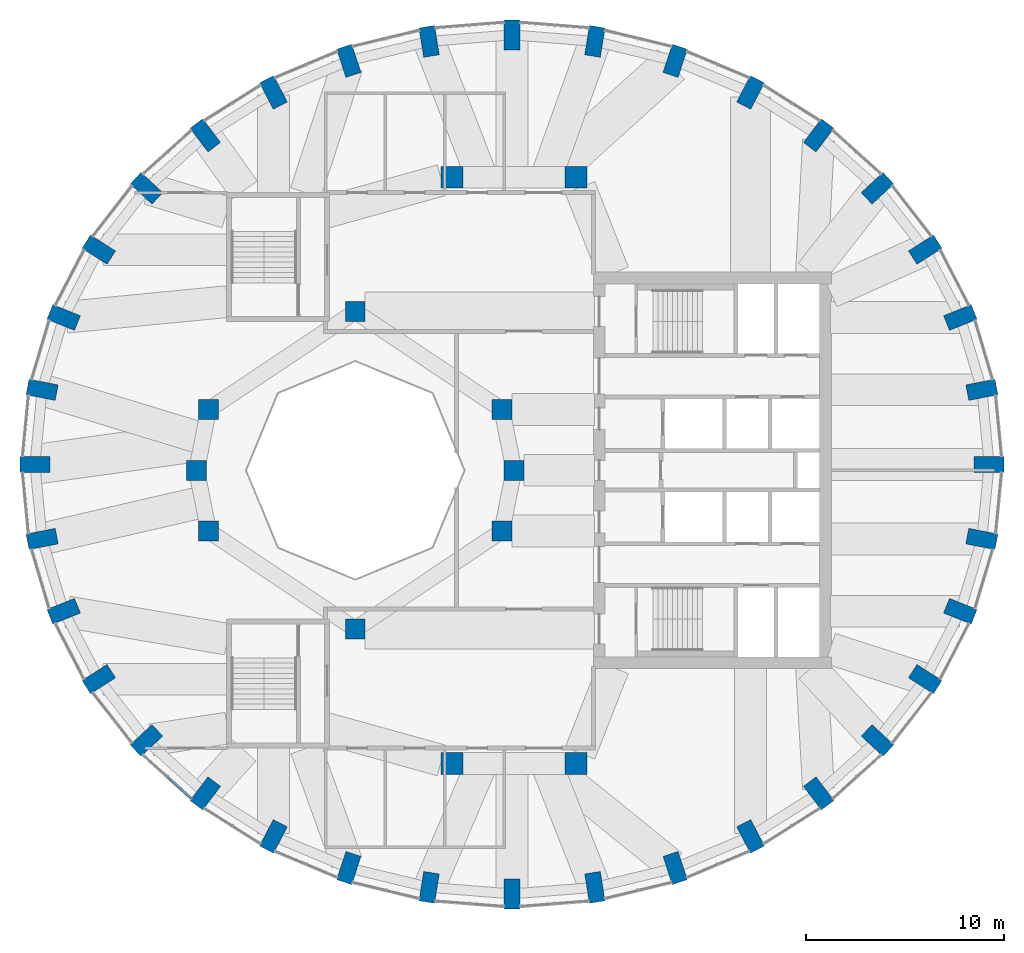
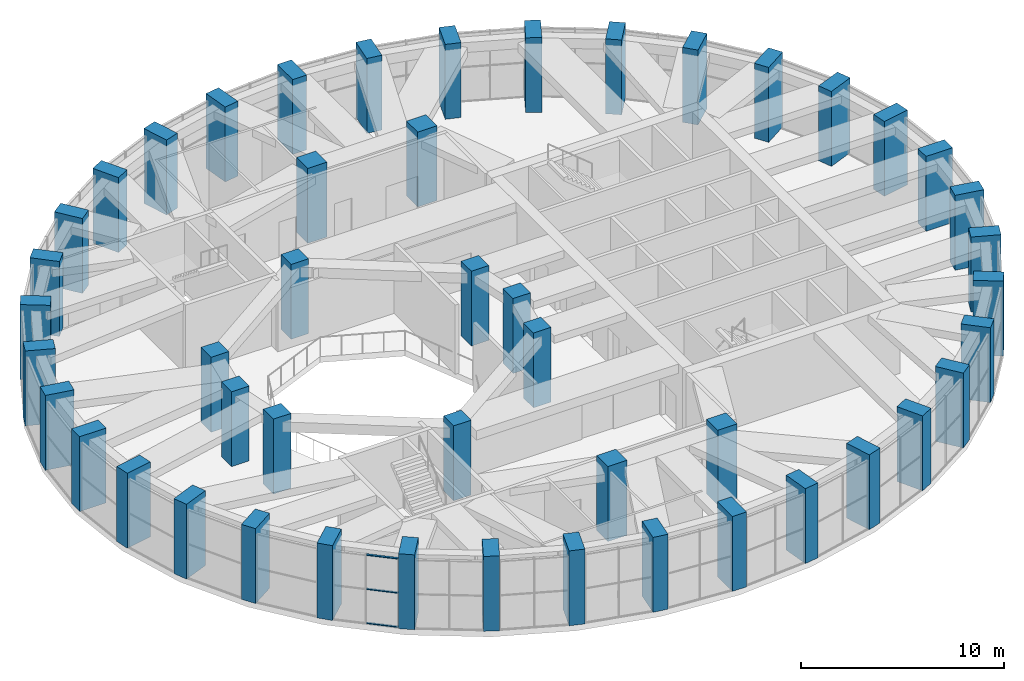
# One storey, part 1 of 17: 48 columns, 3 members, 1 element without a shape of its own.
"""IFC4 building model written with IfcOpenShell, lengths in metres."""

from ifc_helpers import new_model, si_unit, direction, frame, origin, origin_2d, place, context, subcontext, project, spatial, rectangle, extrude, material, material_profile, profile_set, type_object, element, aggregate, save


model = new_model("IFC4")

# Units and contexts
model_context = context("Model", 3, precision=1e-05, world=origin(), true_north=direction((0.0, 1.0)))
body_context = subcontext(model_context, "Body", "Model", "MODEL_VIEW")
ifc_project = project(units=[si_unit("LENGTHUNIT", "METRE"), si_unit("AREAUNIT", "SQUARE_METRE"), si_unit("VOLUMEUNIT", "CUBIC_METRE"), si_unit("PLANEANGLEUNIT", "RADIAN"), si_unit("MASSUNIT", "GRAM", prefix="KILO")], contexts=[model_context])

# Site, building, storey
site_placement = place(None, origin())
site = spatial("IfcSite", under=ifc_project, at=site_placement, CompositionType="ELEMENT")
building_placement = place(site_placement, origin())
building = spatial("IfcBuilding", under=site, at=building_placement, Name="Taillehof Tower", CompositionType="ELEMENT")
storey_placement = place(building_placement, frame((0.0, 0.0, 259.699951171875)))
storey = spatial("IfcBuildingStorey", under=building, at=storey_placement, Name="L74", CompositionType="ELEMENT", Elevation=259.699951171875)

# Columns
ifc_material_1 = material(Name="Concrete C50/60", Category="concrete")
ifc_material_profile_1 = material_profile(ifc_material_1, rectangle(XDim=1.0, YDim=1.0, at=origin_2d()), Name="RC 1000x1000")
ifc_profile_set_1 = profile_set([ifc_material_profile_1], Name="Concrete C50/60")
column_type_1 = type_object("IfcColumnType", Name="Atrium ring column C50/60 1000x1000", PredefinedType="COLUMN", material=ifc_profile_set_1)
for number, where, z_axis, x_axis, name in (
    (1, (0.0, 0.0, 0.0), (0.0, 0.0, 1.0), (1.0, 0.0, 0.0), "Column AC01"),
    (2, (-0.60888671875, 3.0615234375, 0.0), (0.0, 0.0, 1.0), (1.0, 0.0, 0.0), "Column AC02"),
    (3, (-8.0, 8.0, 0.0), (0.0, 0.0, 1.0), (1.0, 0.0, 0.0), "Column AC05"),
    (4, (-15.39111328125, 3.0615234375, 0.0), (0.0, 0.0, 1.0), (1.0, 0.0, 0.0), "Column AC08"),
    (5, (-16.0, 0.0, 0.0), (0.0, 0.0, 1.0), (1.0, 0.0, 0.0), "Column AC09"),
    (6, (-15.39111328125, -3.0615234375, 0.0), (0.0, 0.0, 1.0), (1.0, 0.0, 0.0), "Column AC10"),
    (7, (-8.0, -8.0, 0.0), (0.0, 0.0, 1.0), (1.0, 0.0, 0.0), "Column AC13"),
    (8, (-0.60888671875, -3.0615234375, 0.0), (0.0, 0.0, 1.0), (1.0, 0.0, 0.0), "Column AC16"),
):
    element("IfcColumn", number, at=place(storey_placement, frame(where, z_axis=z_axis, x_axis=x_axis)), inside=storey, type_object=column_type_1, Name=name, PredefinedType="COLUMN", context=body_context, shape_type="SweptSolid", body=[
        extrude(rectangle(XDim=1.0, YDim=1.0, at=origin_2d()), origin(), (0.0, 0.0, 1.0), 4.5),
    ])
ifc_material_2 = material(Name="Concrete C50/60", Category="concrete")
ifc_material_profile_2 = material_profile(ifc_material_2, rectangle(XDim=1.10009765625, YDim=1.10009765625, at=origin_2d()), Name="RC 1100x1100")
ifc_profile_set_2 = profile_set([ifc_material_profile_2], Name="Concrete C50/60")
column_type_2 = type_object("IfcColumnType", Name="Mid-ring column C50/60 1100x1100", PredefinedType="COLUMN", material=ifc_profile_set_2)
for number, where, z_axis, x_axis, name in (
    (9, (3.125732421875, 14.772216796875, 0.0), (0.0, 0.0, 1.0), (1.0, 0.0, 0.0), "Column MC05"),
    (10, (-3.125732421875, 14.772216796875, 0.0), (0.0, 0.0, 1.0), (1.0, 0.0, 0.0), "Column MC06"),
    (11, (-3.125732421875, -14.772216796875, 0.0), (0.0, 0.0, 1.0), (1.0, 0.0, 0.0), "Column MC14"),
    (12, (3.125732421875, -14.772216796875, 0.0), (0.0, 0.0, 1.0), (1.0, 0.0, 0.0), "Column MC15"),
):
    element("IfcColumn", number, at=place(storey_placement, frame(where, z_axis=z_axis, x_axis=x_axis)), inside=storey, type_object=column_type_2, Name=name, PredefinedType="COLUMN", context=body_context, shape_type="SweptSolid", body=[
        extrude(rectangle(XDim=1.10009765625, YDim=1.10009765625, at=origin_2d()), origin(), (0.0, 0.0, 1.0), 4.5),
    ])
ifc_material_3 = material(Name="Concrete C50/60", Category="concrete")
ifc_material_profile_3 = material_profile(ifc_material_3, rectangle(XDim=1.5, YDim=0.800048828125, at=origin_2d()), Name="RC 1500x800")
ifc_profile_set_3 = profile_set([ifc_material_profile_3], Name="Concrete C50/60")
column_type_3 = type_object("IfcColumnType", Name="Ring column C50/60 1500x800", PredefinedType="COLUMN", material=ifc_profile_set_3)
for number, where, z_axis, x_axis, name in (
    (13, (23.949951171875, 0.300048828125, 0.0), (0.0, 0.0, 1.0), (1.0, 0.0, 0.0), "Ring column RC01"),
    (14, (23.584716796875, 4.0595703125, 0.0), (0.0, 0.0, 1.0), (0.981472639166, 0.191602344891, 0.0), "Ring column RC02"),
    (15, (22.49951171875, 7.704833984375, 0.0), (0.0, 0.0, 1.0), (0.927524694272, 0.373761878092, 0.0), "Ring column RC03"),
    (16, (20.72802734375, 11.125, 0.0), (0.0, 0.0, 1.0), (0.842573772535, 0.538580948267, 0.0), "Ring column RC04"),
    (17, (18.323486328125, 14.21630859375, 0.0), (0.0, 0.0, 1.0), (0.73263579998, 0.680620881686, 0.0), "Ring column RC05"),
    (18, (15.359130859375, 16.884765625, 0.0), (0.0, 0.0, 1.0), (0.604020073066, 0.796969103123, 0.0), "Ring column RC06"),
    (19, (11.925048828125, 19.049560546875, 0.0), (0.0, 0.0, 1.0), (0.462383690865, 0.886679943622, 0.0), "Ring column RC07"),
    (20, (8.12548828125, 20.644287109375, 0.0), (0.0, 0.0, 1.0), (0.312304079287, 0.949982190391, 0.0), "Ring column RC08"),
    (21, (4.076171875, 21.62109375, 0.0), (0.0, 0.0, 1.0), (0.1572808136, 0.987553920388, 0.0), "Ring column RC09"),
    (22, (-0.10009765625, 21.949951171875, 0.0), (0.0, 0.0, 1.0), (0.0, 1.0, 0.0), "Ring column RC10"),
    (23, (-4.276123046875, 21.62109375, 0.0), (0.0, 0.0, 1.0), (-0.1572808136, 0.987553920388, 0.0), "Ring column RC11"),
    (24, (-8.32568359375, 20.644287109375, 0.0), (0.0, 0.0, 1.0), (-0.312304079287, 0.949982190391, 0.0), "Ring column RC12"),
    (25, (-12.125, 19.049560546875, 0.0), (0.0, 0.0, 1.0), (-0.462383690865, 0.886679943622, 0.0), "Ring column RC13"),
    (26, (-15.55908203125, 16.884765625, 0.0), (0.0, 0.0, 1.0), (-0.604020073066, 0.796969103123, 0.0), "Ring column RC14"),
    (27, (-18.5234375, 14.21630859375, 0.0), (0.0, 0.0, 1.0), (-0.73263579998, 0.680620881686, 0.0), "Ring column RC15"),
    (28, (-20.927978515625, 11.125, 0.0), (0.0, 0.0, 1.0), (-0.842573772535, 0.538580948267, 0.0), "Ring column RC16"),
    (29, (-22.69970703125, 7.704833984375, 0.0), (0.0, 0.0, 1.0), (-0.927524694272, 0.373761878092, 0.0), "Ring column RC17"),
    (30, (-23.78466796875, 4.0595703125, 0.0), (0.0, 0.0, 1.0), (-0.981472639166, 0.191602344891, 0.0), "Ring column RC18"),
    (31, (-24.14990234375, 0.300048828125, 0.0), (0.0, 0.0, 1.0), (-1.0, 0.0, 0.0), "Ring column RC19"),
    (32, (-23.78466796875, -3.45947265625, 0.0), (0.0, 0.0, 1.0), (-0.981472639166, -0.191602344891, 0.0), "Ring column RC20"),
    (33, (-22.69970703125, -7.104736328125, 0.0), (0.0, 0.0, 1.0), (-0.927524694272, -0.373761878092, 0.0), "Ring column RC21"),
    (34, (-20.927978515625, -10.52490234375, 0.0), (0.0, 0.0, 1.0), (-0.842573772535, -0.538580948267, 0.0), "Ring column RC22"),
    (35, (-18.5234375, -13.616455078125, 0.0), (0.0, 0.0, 1.0), (-0.73263579998, -0.680620881686, 0.0), "Ring column RC23"),
    (36, (-15.55908203125, -16.284912109375, 0.0), (0.0, 0.0, 1.0), (-0.604020073066, -0.796969103123, 0.0), "Ring column RC24"),
    (37, (-12.125, -18.449462890625, 0.0), (0.0, 0.0, 1.0), (-0.462383690865, -0.886679943622, 0.0), "Ring column RC25"),
    (38, (-8.32568359375, -20.04443359375, 0.0), (0.0, 0.0, 1.0), (-0.312304079287, -0.949982190391, 0.0), "Ring column RC26"),
    (39, (-4.276123046875, -21.02099609375, 0.0), (0.0, 0.0, 1.0), (-0.1572808136, -0.987553920388, 0.0), "Ring column RC27"),
    (40, (-0.10009765625, -21.35009765625, 0.0), (0.0, 0.0, 1.0), (0.0, -1.0, 0.0), "Ring column RC28"),
    (41, (4.076171875, -21.02099609375, 0.0), (0.0, 0.0, 1.0), (0.1572808136, -0.987553920388, 0.0), "Ring column RC29"),
    (42, (8.12548828125, -20.04443359375, 0.0), (0.0, 0.0, 1.0), (0.312304079287, -0.949982190391, 0.0), "Ring column RC30"),
    (43, (11.925048828125, -18.449462890625, 0.0), (0.0, 0.0, 1.0), (0.462383690865, -0.886679943622, 0.0), "Ring column RC31"),
    (44, (15.359130859375, -16.284912109375, 0.0), (0.0, 0.0, 1.0), (0.604020073066, -0.796969103123, 0.0), "Ring column RC32"),
    (45, (18.323486328125, -13.616455078125, 0.0), (0.0, 0.0, 1.0), (0.73263579998, -0.680620881686, 0.0), "Ring column RC33"),
    (46, (20.72802734375, -10.52490234375, 0.0), (0.0, 0.0, 1.0), (0.842573772535, -0.538580948267, 0.0), "Ring column RC34"),
    (47, (22.49951171875, -7.104736328125, 0.0), (0.0, 0.0, 1.0), (0.927524694272, -0.373761878092, 0.0), "Ring column RC35"),
    (48, (23.584716796875, -3.45947265625, 0.0), (0.0, 0.0, 1.0), (0.981472639166, -0.191602344891, 0.0), "Ring column RC36"),
):
    element("IfcColumn", number, at=place(storey_placement, frame(where, z_axis=z_axis, x_axis=x_axis)), inside=storey, type_object=column_type_3, Name=name, PredefinedType="COLUMN", context=body_context, shape_type="SweptSolid", body=[
        extrude(rectangle(XDim=1.5, YDim=0.800048828125, at=origin_2d()), origin(), (0.0, 0.0, 1.0), 4.5),
    ])

# Curtain wall, members
ifc_material_4 = material(Name="Aluminium curtain wall with Clear low-emissivity double glazing", Category="aluminium")
curtain_wall_type = type_object("IfcCurtainWallType", Name="Club lounge curtain wall", PredefinedType="USERDEFINED", material=ifc_material_4)
curtain_wall_placement = place(storey_placement, origin())
curtain_wall = element("IfcCurtainWall", 49, at=curtain_wall_placement, inside=storey, type_object=curtain_wall_type, Name="Club lounge L74 bay 23", ObjectType="WINDOW WALL", PredefinedType="USERDEFINED")
ifc_material_5 = material(Name="Aluminium transom", Category="aluminium")
ifc_material_profile_4 = material_profile(ifc_material_5, rectangle(XDim=0.1201171875, YDim=0.050048828125, at=origin_2d()), Name="AL 120x50")
ifc_profile_set_4 = profile_set([ifc_material_profile_4], Name="Aluminium transom")
member_type = type_object("IfcMemberType", Name="Club lounge transom 120x50", PredefinedType="USERDEFINED", material=ifc_profile_set_4)
member_1_placement = place(storey_placement, frame((-17.46337890625, -15.454833984375, 0.025146484375), z_axis=(0.743179963332, -0.669091579757, 0.0), x_axis=(0.669091579757, 0.743179963332, 0.0)))
member_1 = element("IfcMember", 50, at=member_1_placement, type_object=member_type, Name="CT4E23 transom 2.1", ObjectType="TRANSOM", PredefinedType="USERDEFINED", context=body_context, shape_type="SweptSolid", body=[
    extrude(rectangle(XDim=0.1201171875, YDim=0.050048828125, at=origin_2d()), origin(), (0.0, 0.0, 1.0), 1.594970703125),
])
member_2_placement = place(storey_placement, frame((-17.46337890625, -15.454833984375, 2.074951171875), z_axis=(0.743179963332, -0.669091579757, 0.0), x_axis=(0.669091579757, 0.743179963332, 0.0)))
member_2 = element("IfcMember", 51, at=member_2_placement, type_object=member_type, Name="CT4E23 transom 2.2", ObjectType="TRANSOM", PredefinedType="USERDEFINED", context=body_context, shape_type="SweptSolid", body=[
    extrude(rectangle(XDim=0.1201171875, YDim=0.050048828125, at=origin_2d()), origin(), (0.0, 0.0, 1.0), 1.594970703125),
])
member_3_placement = place(storey_placement, frame((-17.46337890625, -15.454833984375, 4.125), z_axis=(0.743179963332, -0.669091579757, 0.0), x_axis=(0.669091579757, 0.743179963332, 0.0)))
member_3 = element("IfcMember", 52, at=member_3_placement, type_object=member_type, Name="CT4E23 transom 2.3", ObjectType="TRANSOM", PredefinedType="USERDEFINED", context=body_context, shape_type="SweptSolid", body=[
    extrude(rectangle(XDim=0.1201171875, YDim=0.050048828125, at=origin_2d()), origin(), (0.0, 0.0, 1.0), 1.594970703125),
])
aggregate(curtain_wall, [member_1, member_2, member_3])

save(model, "model.ifc")
